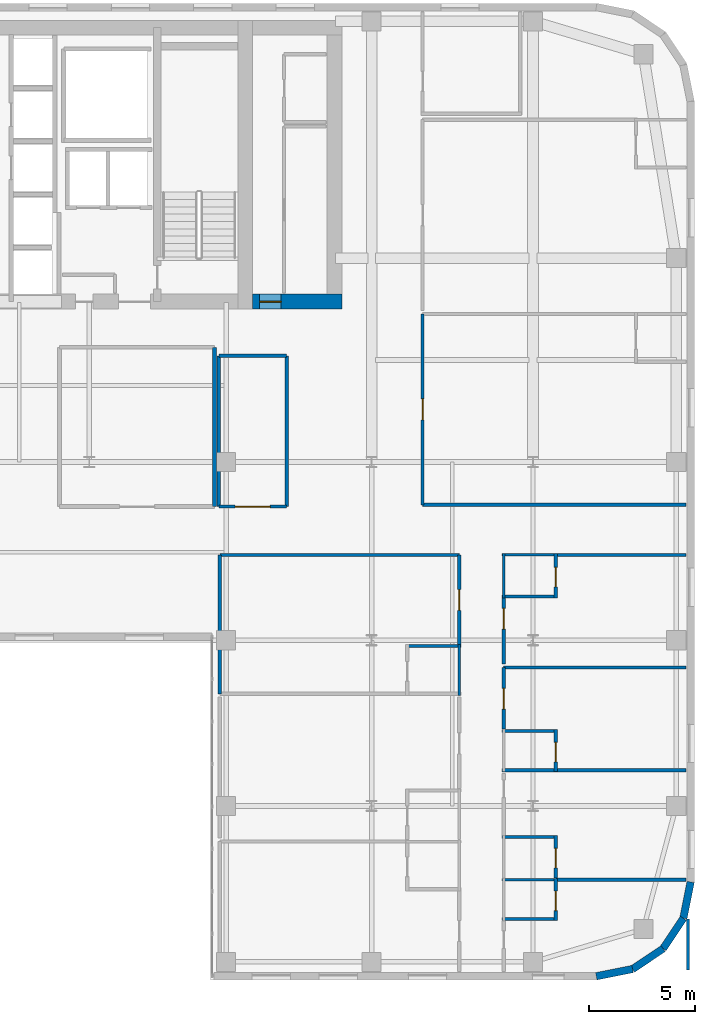
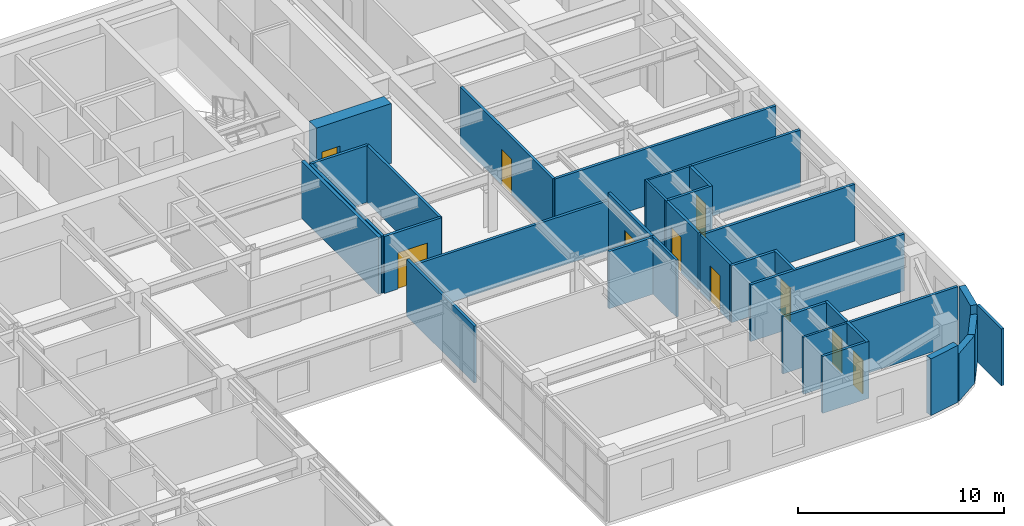
# One storey, part 13 of 17: 35 walls, 10 doors, 10 openings.
"""IFC4 building model written with IfcOpenShell, lengths in metres."""

from ifc_helpers import new_model, si_unit, direction, frame, frame_2d, origin, place, context, subcontext, project, spatial, rectangle, extrude, source, transform, mapped, material, layer, layer_set, type_object, type_shapes, element, fill, save


model = new_model("IFC4")

# Units and contexts
model_context = context("Model", 3, precision=1e-05, world=origin(), true_north=direction((0.0, 1.0)))
body_context = subcontext(model_context, "Body", "Model", "MODEL_VIEW")
ifc_project = project(units=[si_unit("LENGTHUNIT", "METRE"), si_unit("AREAUNIT", "SQUARE_METRE"), si_unit("VOLUMEUNIT", "CUBIC_METRE"), si_unit("PLANEANGLEUNIT", "RADIAN"), si_unit("MASSUNIT", "GRAM", prefix="KILO")], contexts=[model_context])

# Site, building, storey
site_placement = place(None, origin())
site = spatial("IfcSite", under=ifc_project, at=site_placement, CompositionType="ELEMENT")
building_placement = place(site_placement, origin())
building = spatial("IfcBuilding", under=site, at=building_placement, Name="Tolvann Quenvar Hotel", CompositionType="ELEMENT")
storey_placement = place(building_placement, frame((0.0, 0.0, 136.39990234375)))
storey = spatial("IfcBuildingStorey", under=building, at=storey_placement, Name="L35", CompositionType="ELEMENT", Elevation=136.39990234375)

# Wall, opening, door
ifc_material_1 = material(Name="Concrete S65 (65 MPa)", Category="concrete")
ifc_layer_1 = layer(ifc_material_1, 0.699951171875)
ifc_layer_set_1 = layer_set([ifc_layer_1], Name="Concrete S65 (65 MPa)")
wall_type_1 = type_object("IfcWallType", Name="WALL_CORE_700", PredefinedType="SHEAR", material=ifc_layer_set_1)
wall_1_placement = place(storey_placement, frame((36.199951171875, 31.949951171875, 0.0), z_axis=(0.0, 0.0, 1.0), x_axis=(1.0, 0.0, 0.0)))
wall_1 = element("IfcWall", 1, at=wall_1_placement, inside=storey, type_object=wall_type_1, Name="Core East Annex Shear Wall ANN-S (L35)", PredefinedType="SHEAR", context=body_context, shape_type="SweptSolid", body=[
    extrude(rectangle(XDim=4.199951171875, YDim=0.699951171875, at=frame_2d((2.10009765625, 0.0))), origin(), (0.0, 0.0, 1.0), 3.550048828125),
])
opening_1_placement = place(wall_1_placement, frame((1.340087890625, 0.0, 0.0), z_axis=(0.0, 0.0, 1.0), x_axis=(-1.0, 0.0, 0.0)))
opening_1 = element("IfcOpeningElement", 2, at=opening_1_placement, cuts=wall_1, Name="Opening HD-01", PredefinedType="OPENING", context=body_context, shape_type="SweptSolid", body=[
    extrude(rectangle(XDim=1.02001953125, YDim=2.030029296875, at=frame_2d((0.510009765625, 1.01513671875))), frame((0.0, 0.35986328125, 0.0), z_axis=(0.0, -1.0, 0.0), x_axis=(1.0, 0.0, 0.0)), (0.0, 0.0, 1.0), 0.719970703125),
])
ifc_material_2 = material(Name="Pressed galvanised steel fire-rated door set", Category="steel")
door_type_1 = type_object("IfcDoorType", Name="DOOR_BOH_1020", OperationType="NOTDEFINED", PredefinedType="DOOR", material=ifc_material_2)
shared_shape_1 = source(origin(), body_context, "Body", "SweptSolid", [
    extrude(rectangle(XDim=1.02001953125, YDim=2.030029296875, at=frame_2d((0.510009765625, 1.01513671875))), frame((0.0, 0.02490234375, 0.0), z_axis=(0.0, -1.0, 0.0), x_axis=(1.0, 0.0, 0.0)), (0.0, 0.0, 1.0), 0.050048828125),
])
type_shapes(door_type_1, [shared_shape_1])
door_1_placement = place(opening_1_placement, origin())
door_1 = element("IfcDoor", 3, at=door_1_placement, inside=storey, type_object=door_type_1, Name="Housekeeping Annex Fire Door (L35)", OperationType="SINGLE_SWING_LEFT", OverallHeight=2.030029296875, OverallWidth=1.02001953125, PredefinedType="DOOR", context=body_context, shape_type="MappedRepresentation", body=[
    mapped(shared_shape_1, transform((0.0, 0.0, 0.0), x_axis=(1.0, 0.0, 0.0), y_axis=(0.0, 1.0, 0.0), z_axis=(0.0, 0.0, 1.0), scale=1.0)),
])
fill(opening_1, door_1)

# Walls
ifc_material_3 = material(Name="Kiln-fired red and buff architectural clay brickwork and terracotta masonry", Category="masonry")
ifc_layer_2 = layer(ifc_material_3, 0.35009765625)
ifc_layer_set_2 = layer_set([ifc_layer_2], Name="Kiln-fired red and buff architectural clay brickwork and terracotta masonry")
wall_type_2 = type_object("IfcWallType", Name="WALL_EXT_BRICK_350", PredefinedType="SOLIDWALL", material=ifc_layer_set_2)
wall_2_placement = place(storey_placement, frame((52.3828125, 0.175048828125, 0.0), z_axis=(0.0, 0.0, 1.0), x_axis=(0.980800971659, 0.195011420161, 0.0)))
element("IfcWall", 4, at=wall_2_placement, inside=storey, type_object=wall_type_2, Name="Exterior Chicago Brick Wall L35-E09", PredefinedType="SOLIDWALL", context=body_context, shape_type="SweptSolid", body=[
    extrude(rectangle(XDim=1.74267578125, YDim=0.35009765625, at=frame_2d((0.871337890625, 0.0))), origin(), (0.0, 0.0, 1.0), 3.3701171875),
])
for number, where, z_axis, x_axis, name in (
    (5, (54.092041015625, 0.514892578125, 0.0), (0.0, 0.0, 1.0), (0.831483840845, 0.55554893791, 0.0), "Exterior Chicago Brick Wall L35-E10"),
    (6, (55.526611328125, 1.473388671875, 0.0), (0.0, 0.0, 1.0), (0.55554893791, 0.831483840845, 0.0), "Exterior Chicago Brick Wall L35-E11"),
):
    element("IfcWall", number, at=place(storey_placement, frame(where, z_axis=z_axis, x_axis=x_axis)), inside=storey, type_object=wall_type_2, Name=name, PredefinedType="SOLIDWALL", context=body_context, shape_type="SweptSolid", body=[
        extrude(rectangle(XDim=1.725341796875, YDim=0.35009765625, at=frame_2d((0.86279296875, 0.0))), origin(), (0.0, 0.0, 1.0), 2.83203125),
    ])
wall_3_placement = place(storey_placement, frame((56.485107421875, 2.907958984375, 0.0), z_axis=(0.0, 0.0, 1.0), x_axis=(0.195011420161, 0.980800971659, 0.0)))
element("IfcWall", 7, at=wall_3_placement, inside=storey, type_object=wall_type_2, Name="Exterior Chicago Brick Wall L35-E12", PredefinedType="SOLIDWALL", context=body_context, shape_type="SweptSolid", body=[
    extrude(rectangle(XDim=1.74267578125, YDim=0.35009765625, at=frame_2d((0.871337890625, 0.0))), origin(), (0.0, 0.0, 1.0), 3.3701171875),
])
ifc_material_4 = material(Name="Acoustic twin-stud fire-rated gypsum plasterboard partition")
ifc_layer_3 = layer(ifc_material_4, 0.179931640625)
ifc_layer_set_3 = layer_set([ifc_layer_3], Name="Acoustic twin-stud fire-rated gypsum plasterboard partition")
wall_type_3 = type_object("IfcWallType", Name="WALL_PART_ACOUSTIC_180", PredefinedType="PARTITIONING", material=ifc_layer_set_3)
wall_4_placement = place(storey_placement, frame((34.39990234375, 22.300048828125, 0.0), z_axis=(0.0, 0.0, 1.0), x_axis=(0.0, 1.0, 0.0)))
element("IfcWall", 8, at=wall_4_placement, inside=storey, type_object=wall_type_3, Name="Interior Partition PT-SPC-L35-MSP-C-E", PredefinedType="PARTITIONING", context=body_context, shape_type="SweptSolid", body=[
    extrude(rectangle(XDim=7.5, YDim=0.179931640625, at=frame_2d((3.75, 0.0))), origin(), (0.0, 0.0, 1.0), 3.3701171875),
])
ifc_material_5 = material(Name="Moisture-resistant acoustic plumbing wall assembly")
ifc_layer_4 = layer(ifc_material_5, 0.1201171875)
ifc_layer_set_4 = layer_set([ifc_layer_4], Name="Moisture-resistant acoustic plumbing wall assembly")
wall_type_4 = type_object("IfcWallType", Name="WALL_PART_BATH_120", PredefinedType="PLUMBINGWALL", material=ifc_layer_set_4)
wall_5_placement = place(storey_placement, frame((45.929931640625, 13.409912109375, 0.0), z_axis=(0.0, 0.0, 1.0), x_axis=(0.0, 1.0, 0.0)))
element("IfcWall", 9, at=wall_5_placement, inside=storey, type_object=wall_type_4, Name="Non-Rated Plumbing Partition PT-SPC-L35-ENS-EI03-E", PredefinedType="PLUMBINGWALL", context=body_context, shape_type="SweptSolid", body=[
    extrude(rectangle(XDim=2.39013671875, YDim=0.1201171875, at=frame_2d((1.195068359375, 0.0))), origin(), (0.0, 0.0, 1.0), 3.3701171875),
])
for number, where, z_axis, x_axis, name in (
    (10, (47.949951171875, 4.719970703125, 0.0), (0.0, 0.0, 1.0), (1.0, 0.0, 0.0), "Non-Rated Plumbing Partition PT-SPC-L35-ENS-EO01-N"),
    (11, (47.949951171875, 20.02001953125, 0.0), (0.0, 0.0, 1.0), (1.0, 0.0, 0.0), "Non-Rated Plumbing Partition PT-SPC-L35-ENS-EO04-N"),
):
    element("IfcWall", number, at=place(storey_placement, frame(where, z_axis=z_axis, x_axis=x_axis)), inside=storey, type_object=wall_type_4, Name=name, PredefinedType="PLUMBINGWALL", context=body_context, shape_type="SweptSolid", body=[
        extrude(rectangle(XDim=2.590087890625, YDim=0.1201171875, at=frame_2d((1.294921875, 0.0))), origin(), (0.0, 0.0, 1.0), 3.3701171875),
    ])
wall_6_placement = place(storey_placement, frame((48.02001953125, 17.9970703125, 0.0), z_axis=(0.0, 0.0, 1.0), x_axis=(0.0, 1.0, 0.0)))
element("IfcWall", 12, at=wall_6_placement, inside=storey, type_object=wall_type_4, Name="Non-Rated Plumbing Partition PT-SPC-L35-ENS-EO04-W", PredefinedType="PLUMBINGWALL", context=body_context, shape_type="SweptSolid", body=[
    extrude(rectangle(XDim=2.093017578125, YDim=0.1201171875, at=frame_2d((1.04638671875, 0.0))), origin(), (0.0, 0.0, 1.0), 3.3701171875),
])
ifc_layer_5 = layer(ifc_material_4, 0.14990234375)
ifc_layer_set_5 = layer_set([ifc_layer_5], Name="Acoustic twin-stud fire-rated gypsum plasterboard partition")
wall_type_5 = type_object("IfcWallType", Name="WALL_PART_SUITE_150", PredefinedType="PARTITIONING", material=ifc_layer_set_5)
wall_7_placement = place(storey_placement, frame((43.409912109375, 15.72998046875, 0.0), z_axis=(0.0, 0.0, 1.0), x_axis=(1.0, 0.0, 0.0)))
element("IfcWall", 13, at=wall_7_placement, inside=storey, type_object=wall_type_5, Name="Interior Partition PT-SPC-L35-ENS-EI03-N", PredefinedType="PARTITIONING", context=body_context, shape_type="SweptSolid", body=[
    extrude(rectangle(XDim=2.590087890625, YDim=0.14990234375, at=frame_2d((1.294921875, 0.0))), origin(), (0.0, 0.0, 1.0), 3.3701171875),
])

# Wall, opening, door
wall_8_placement = place(storey_placement, frame((50.469970703125, 2.800048828125, 0.0), z_axis=(0.0, 0.0, 1.0), x_axis=(0.0, 1.0, 0.0)))
wall_8 = element("IfcWall", 14, at=wall_8_placement, inside=storey, type_object=wall_type_5, Name="Interior Partition PT-SPC-L35-ENS-EO01-ENT", PredefinedType="PARTITIONING", context=body_context, shape_type="SweptSolid", body=[
    extrude(rectangle(XDim=1.989990234375, YDim=0.14990234375, at=frame_2d((0.9951171875, 0.0))), origin(), (0.0, 0.0, 1.0), 3.3701171875),
])
opening_2_placement = place(wall_8_placement, frame((0.465087890625, 0.0, 0.0)))
opening_2 = element("IfcOpeningElement", 15, at=opening_2_placement, cuts=wall_8, Name="Opening WD-01", PredefinedType="OPENING", context=body_context, shape_type="SweptSolid", body=[
    extrude(rectangle(XDim=0.919921875, YDim=2.010009765625, at=frame_2d((0.4599609375, 1.0048828125))), frame((0.0, 0.0849609375, 0.0), z_axis=(0.0, -1.0, 0.0), x_axis=(1.0, 0.0, 0.0)), (0.0, 0.0, 1.0), 0.169921875),
])
ifc_material_6 = material(Name="Solid-core American oak acoustic fire door leaf in steel frame", Category="steel")
door_type_2 = type_object("IfcDoorType", Name="DOOR_WC_920", OperationType="NOTDEFINED", PredefinedType="DOOR", material=ifc_material_6)
shared_shape_2 = source(origin(), body_context, "Body", "SweptSolid", [
    extrude(rectangle(XDim=0.919921875, YDim=2.010009765625, at=frame_2d((0.4599609375, 1.0048828125))), frame((0.0, 0.02490234375, 0.0), z_axis=(0.0, -1.0, 0.0), x_axis=(1.0, 0.0, 0.0)), (0.0, 0.0, 1.0), 0.050048828125),
])
type_shapes(door_type_2, [shared_shape_2])
door_2_placement = place(opening_2_placement, origin())
door_2 = element("IfcDoor", 16, at=door_2_placement, inside=storey, type_object=door_type_2, Name="Interior Door DOOR-SPC-L35-ENS-EO01", OperationType="SINGLE_SWING_LEFT", OverallHeight=2.010009765625, OverallWidth=0.919921875, PredefinedType="DOOR", context=body_context, shape_type="MappedRepresentation", body=[
    mapped(shared_shape_2, transform((0.0, 0.0, 0.0), x_axis=(1.0, 0.0, 0.0), y_axis=(0.0, 1.0, 0.0), z_axis=(0.0, 0.0, 1.0), scale=1.0)),
])
fill(opening_2, door_2)

# Wall
wall_9_placement = place(storey_placement, frame((47.949951171875, 2.8701171875, 0.0), z_axis=(0.0, 0.0, 1.0), x_axis=(1.0, 0.0, 0.0)))
element("IfcWall", 17, at=wall_9_placement, inside=storey, type_object=wall_type_5, Name="Interior Partition PT-SPC-L35-ENS-EO01-S", PredefinedType="PARTITIONING", context=body_context, shape_type="SweptSolid", body=[
    extrude(rectangle(XDim=2.590087890625, YDim=0.14990234375, at=frame_2d((1.294921875, 0.0))), origin(), (0.0, 0.0, 1.0), 3.3701171875),
])

# Wall, opening, door
wall_10_placement = place(storey_placement, frame((50.469970703125, 4.81005859375, 0.0), z_axis=(0.0, 0.0, 1.0), x_axis=(0.0, 1.0, 0.0)))
wall_10 = element("IfcWall", 18, at=wall_10_placement, inside=storey, type_object=wall_type_5, Name="Interior Partition PT-SPC-L35-ENS-EO02-ENT", PredefinedType="PARTITIONING", context=body_context, shape_type="SweptSolid", body=[
    extrude(rectangle(XDim=1.989990234375, YDim=0.14990234375, at=frame_2d((0.9951171875, 0.0))), origin(), (0.0, 0.0, 1.0), 3.3701171875),
])
opening_3_placement = place(wall_10_placement, frame((0.465087890625, 0.0, 0.0)))
opening_3 = element("IfcOpeningElement", 19, at=opening_3_placement, cuts=wall_10, Name="Opening WD-01", PredefinedType="OPENING", context=body_context, shape_type="SweptSolid", body=[
    extrude(rectangle(XDim=0.919921875, YDim=2.010009765625, at=frame_2d((0.4599609375, 1.0048828125))), frame((0.0, 0.0849609375, 0.0), z_axis=(0.0, -1.0, 0.0), x_axis=(1.0, 0.0, 0.0)), (0.0, 0.0, 1.0), 0.169921875),
])
door_3_placement = place(opening_3_placement, origin())
door_3 = element("IfcDoor", 20, at=door_3_placement, inside=storey, type_object=door_type_2, Name="Interior Door DOOR-SPC-L35-ENS-EO02", OperationType="SINGLE_SWING_RIGHT", OverallHeight=2.010009765625, OverallWidth=0.919921875, PredefinedType="DOOR", context=body_context, shape_type="MappedRepresentation", body=[
    mapped(shared_shape_2, transform((0.0, 0.0, 0.0), x_axis=(1.0, 0.0, 0.0), y_axis=(0.0, 1.0, 0.0), z_axis=(0.0, 0.0, 1.0), scale=1.0)),
])
fill(opening_3, door_3)

# Wall
wall_11_placement = place(storey_placement, frame((47.949951171875, 6.72998046875, 0.0), z_axis=(0.0, 0.0, 1.0), x_axis=(1.0, 0.0, 0.0)))
element("IfcWall", 21, at=wall_11_placement, inside=storey, type_object=wall_type_5, Name="Interior Partition PT-SPC-L35-ENS-EO02-N", PredefinedType="PARTITIONING", context=body_context, shape_type="SweptSolid", body=[
    extrude(rectangle(XDim=2.590087890625, YDim=0.14990234375, at=frame_2d((1.294921875, 0.0))), origin(), (0.0, 0.0, 1.0), 3.3701171875),
])

# Wall, opening, door
wall_12_placement = place(storey_placement, frame((50.469970703125, 9.81005859375, 0.0), z_axis=(0.0, 0.0, 1.0), x_axis=(0.0, 1.0, 0.0)))
wall_12 = element("IfcWall", 22, at=wall_12_placement, inside=storey, type_object=wall_type_5, Name="Interior Partition PT-SPC-L35-ENS-EO03-ENT", PredefinedType="PARTITIONING", context=body_context, shape_type="SweptSolid", body=[
    extrude(rectangle(XDim=1.989990234375, YDim=0.14990234375, at=frame_2d((0.9951171875, 0.0))), origin(), (0.0, 0.0, 1.0), 3.3701171875),
])
opening_4_placement = place(wall_12_placement, frame((0.465087890625, 0.0, 0.0)))
opening_4 = element("IfcOpeningElement", 23, at=opening_4_placement, cuts=wall_12, Name="Opening WD-01", PredefinedType="OPENING", context=body_context, shape_type="SweptSolid", body=[
    extrude(rectangle(XDim=0.919921875, YDim=2.010009765625, at=frame_2d((0.4599609375, 1.0048828125))), frame((0.0, 0.0849609375, 0.0), z_axis=(0.0, -1.0, 0.0), x_axis=(1.0, 0.0, 0.0)), (0.0, 0.0, 1.0), 0.169921875),
])
door_4_placement = place(opening_4_placement, origin())
door_4 = element("IfcDoor", 24, at=door_4_placement, inside=storey, type_object=door_type_2, Name="Interior Door DOOR-SPC-L35-ENS-EO03", OperationType="SINGLE_SWING_LEFT", OverallHeight=2.010009765625, OverallWidth=0.919921875, PredefinedType="DOOR", context=body_context, shape_type="MappedRepresentation", body=[
    mapped(shared_shape_2, transform((0.0, 0.0, 0.0), x_axis=(1.0, 0.0, 0.0), y_axis=(0.0, 1.0, 0.0), z_axis=(0.0, 0.0, 1.0), scale=1.0)),
])
fill(opening_4, door_4)

# Walls
wall_13_placement = place(storey_placement, frame((47.949951171875, 9.8798828125, 0.0), z_axis=(0.0, 0.0, 1.0), x_axis=(1.0, 0.0, 0.0)))
element("IfcWall", 25, at=wall_13_placement, inside=storey, type_object=wall_type_5, Name="Interior Partition PT-SPC-L35-ENS-EO03-S", PredefinedType="PARTITIONING", context=body_context, shape_type="SweptSolid", body=[
    extrude(rectangle(XDim=8.64501953125, YDim=0.14990234375, at=frame_2d((4.322509765625, 0.0))), origin(), (0.0, 0.0, 1.0), 3.3701171875),
])
wall_14_placement = place(storey_placement, frame((47.949951171875, 11.72998046875, 0.0), z_axis=(0.0, 0.0, 1.0), x_axis=(1.0, 0.0, 0.0)))
element("IfcWall", 26, at=wall_14_placement, inside=storey, type_object=wall_type_5, Name="Interior Partition PT-SPC-L35-ENS-EO03-N", PredefinedType="PARTITIONING", context=body_context, shape_type="SweptSolid", body=[
    extrude(rectangle(XDim=2.590087890625, YDim=0.14990234375, at=frame_2d((1.294921875, 0.0))), origin(), (0.0, 0.0, 1.0), 3.3701171875),
])

# Wall, opening, door
wall_15_placement = place(storey_placement, frame((50.469970703125, 17.9970703125, 0.0), z_axis=(0.0, 0.0, 1.0), x_axis=(0.0, 1.0, 0.0)))
wall_15 = element("IfcWall", 27, at=wall_15_placement, inside=storey, type_object=wall_type_5, Name="Interior Partition PT-SPC-L35-ENS-EO04-ENT", PredefinedType="PARTITIONING", context=body_context, shape_type="SweptSolid", body=[
    extrude(rectangle(XDim=2.093017578125, YDim=0.14990234375, at=frame_2d((1.04638671875, 0.0))), origin(), (0.0, 0.0, 1.0), 3.3701171875),
])
opening_5_placement = place(wall_15_placement, frame((0.5166015625, 0.0, 0.0)))
opening_5 = element("IfcOpeningElement", 28, at=opening_5_placement, cuts=wall_15, Name="Opening WD-01", PredefinedType="OPENING", context=body_context, shape_type="SweptSolid", body=[
    extrude(rectangle(XDim=0.919921875, YDim=2.010009765625, at=frame_2d((0.4599609375, 1.0048828125))), frame((0.0, 0.0849609375, 0.0), z_axis=(0.0, -1.0, 0.0), x_axis=(1.0, 0.0, 0.0)), (0.0, 0.0, 1.0), 0.169921875),
])
door_5_placement = place(opening_5_placement, origin())
door_5 = element("IfcDoor", 29, at=door_5_placement, inside=storey, type_object=door_type_2, Name="Interior Door DOOR-SPC-L35-ENS-EO04", OperationType="SINGLE_SWING_RIGHT", OverallHeight=2.010009765625, OverallWidth=0.919921875, PredefinedType="DOOR", context=body_context, shape_type="MappedRepresentation", body=[
    mapped(shared_shape_2, transform((0.0, 0.0, 0.0), x_axis=(1.0, 0.0, 0.0), y_axis=(0.0, 1.0, 0.0), z_axis=(0.0, 0.0, 1.0), scale=1.0)),
])
fill(opening_5, door_5)

# Wall
wall_16_placement = place(storey_placement, frame((47.949951171875, 18.06689453125, 0.0), z_axis=(0.0, 0.0, 1.0), x_axis=(1.0, 0.0, 0.0)))
element("IfcWall", 30, at=wall_16_placement, inside=storey, type_object=wall_type_5, Name="Interior Partition PT-SPC-L35-ENS-EO04-S", PredefinedType="PARTITIONING", context=body_context, shape_type="SweptSolid", body=[
    extrude(rectangle(XDim=2.590087890625, YDim=0.14990234375, at=frame_2d((1.294921875, 0.0))), origin(), (0.0, 0.0, 1.0), 3.3701171875),
])

# Wall, opening, door
wall_17_placement = place(storey_placement, frame((45.929931640625, 15.81005859375, 0.0), z_axis=(0.0, 0.0, 1.0), x_axis=(0.0, 1.0, 0.0)))
wall_17 = element("IfcWall", 31, at=wall_17_placement, inside=storey, type_object=wall_type_5, Name="Interior Partition PT-SPC-L35-RM-EI03-ENT", PredefinedType="PARTITIONING", context=body_context, shape_type="SweptSolid", body=[
    extrude(rectangle(XDim=4.2099609375, YDim=0.14990234375, at=frame_2d((2.10498046875, 0.0))), origin(), (0.0, 0.0, 1.0), 3.3701171875),
])
opening_6_placement = place(wall_17_placement, frame((1.594970703125, 0.0, 0.0)))
opening_6 = element("IfcOpeningElement", 32, at=opening_6_placement, cuts=wall_17, Name="Opening SD-01", PredefinedType="OPENING", context=body_context, shape_type="SweptSolid", body=[
    extrude(rectangle(XDim=0.97998046875, YDim=2.1201171875, at=frame_2d((0.489990234375, 1.06005859375))), frame((0.0, 0.0849609375, 0.0), z_axis=(0.0, -1.0, 0.0), x_axis=(1.0, 0.0, 0.0)), (0.0, 0.0, 1.0), 0.169921875),
])
door_type_3 = type_object("IfcDoorType", Name="DOOR_SUITE_980", OperationType="NOTDEFINED", PredefinedType="DOOR", material=ifc_material_6)
shared_shape_3 = source(origin(), body_context, "Body", "SweptSolid", [
    extrude(rectangle(XDim=0.97998046875, YDim=2.1201171875, at=frame_2d((0.489990234375, 1.06005859375))), frame((0.0, 0.02490234375, 0.0), z_axis=(0.0, -1.0, 0.0), x_axis=(1.0, 0.0, 0.0)), (0.0, 0.0, 1.0), 0.050048828125),
])
type_shapes(door_type_3, [shared_shape_3])
door_6_placement = place(opening_6_placement, origin())
door_6 = element("IfcDoor", 33, at=door_6_placement, inside=storey, type_object=door_type_3, Name="Interior Door DOOR-SPC-L35-RM-EI03", OperationType="SINGLE_SWING_LEFT", OverallHeight=2.1201171875, OverallWidth=0.97998046875, PredefinedType="DOOR", context=body_context, shape_type="MappedRepresentation", body=[
    mapped(shared_shape_3, transform((0.0, 0.0, 0.0), x_axis=(1.0, 0.0, 0.0), y_axis=(0.0, 1.0, 0.0), z_axis=(0.0, 0.0, 1.0), scale=1.0)),
])
fill(opening_6, door_6)

# Walls
wall_18_placement = place(storey_placement, frame((34.64990234375, 20.02001953125, 0.0), z_axis=(0.0, 0.0, 1.0), x_axis=(1.0, 0.0, 0.0)))
element("IfcWall", 34, at=wall_18_placement, inside=storey, type_object=wall_type_5, Name="Interior Partition PT-SPC-L35-RM-EI03-E5", PredefinedType="PARTITIONING", context=body_context, shape_type="SweptSolid", body=[
    extrude(rectangle(XDim=11.280029296875, YDim=0.14990234375, at=frame_2d((5.64013671875, 0.0))), origin(), (0.0, 0.0, 1.0), 2.9541015625),
])
wall_19_placement = place(storey_placement, frame((34.64990234375, 13.47998046875, 0.0), z_axis=(0.0, 0.0, 1.0), x_axis=(0.0, 1.0, 0.0)))
element("IfcWall", 35, at=wall_19_placement, inside=storey, type_object=wall_type_5, Name="Interior Partition PT-SPC-L35-RM-EI03-E6", PredefinedType="PARTITIONING", context=body_context, shape_type="SweptSolid", body=[
    extrude(rectangle(XDim=6.5400390625, YDim=0.14990234375, at=frame_2d((3.27001953125, 0.0))), origin(), (0.0, 0.0, 1.0), 3.3701171875),
])
wall_20_placement = place(storey_placement, frame((56.699951171875, 0.47998046875, 0.0), z_axis=(0.0, 0.0, 1.0), x_axis=(0.0, 1.0, 0.0)))
element("IfcWall", 36, at=wall_20_placement, inside=storey, type_object=wall_type_5, Name="Interior Partition PT-SPC-L35-RM-EO01-E2", PredefinedType="PARTITIONING", context=body_context, shape_type="SweptSolid", body=[
    extrude(rectangle(XDim=2.385009765625, YDim=0.14990234375, at=frame_2d((1.1923828125, 0.0))), origin(), (0.0, 0.0, 1.0), 3.3701171875),
])
wall_21_placement = place(storey_placement, frame((50.489990234375, 4.719970703125, 0.0), z_axis=(0.0, 0.0, 1.0), x_axis=(1.0, 0.0, 0.0)))
element("IfcWall", 37, at=wall_21_placement, inside=storey, type_object=wall_type_5, Name="Interior Partition PT-SPC-L35-RM-EO01-E3", PredefinedType="PARTITIONING", context=body_context, shape_type="SweptSolid", body=[
    extrude(rectangle(XDim=6.10498046875, YDim=0.14990234375, at=frame_2d((3.052490234375, 0.0))), origin(), (0.0, 0.0, 1.0), 3.3701171875),
])

# Wall, opening, door
wall_22_placement = place(storey_placement, frame((48.02001953125, 11.81005859375, 0.0), z_axis=(0.0, 0.0, 1.0), x_axis=(0.0, 1.0, 0.0)))
wall_22 = element("IfcWall", 38, at=wall_22_placement, inside=storey, type_object=wall_type_5, Name="Interior Partition PT-SPC-L35-RM-EO03-ENT", PredefinedType="PARTITIONING", context=body_context, shape_type="SweptSolid", body=[
    extrude(rectangle(XDim=2.909912109375, YDim=0.14990234375, at=frame_2d((1.455078125, 0.0))), origin(), (0.0, 0.0, 1.0), 3.3701171875),
])
opening_7_placement = place(wall_22_placement, frame((0.945068359375, 0.0, 0.0)))
opening_7 = element("IfcOpeningElement", 39, at=opening_7_placement, cuts=wall_22, Name="Opening SD-01", PredefinedType="OPENING", context=body_context, shape_type="SweptSolid", body=[
    extrude(rectangle(XDim=0.97998046875, YDim=2.1201171875, at=frame_2d((0.489990234375, 1.06005859375))), frame((0.0, 0.0849609375, 0.0), z_axis=(0.0, -1.0, 0.0), x_axis=(1.0, 0.0, 0.0)), (0.0, 0.0, 1.0), 0.169921875),
])
door_7_placement = place(opening_7_placement, origin())
door_7 = element("IfcDoor", 40, at=door_7_placement, inside=storey, type_object=door_type_3, Name="Interior Door DOOR-SPC-L35-RM-EO03", OperationType="SINGLE_SWING_RIGHT", OverallHeight=2.1201171875, OverallWidth=0.97998046875, PredefinedType="DOOR", context=body_context, shape_type="MappedRepresentation", body=[
    mapped(shared_shape_3, transform((0.0, 0.0, 0.0), x_axis=(1.0, 0.0, 0.0), y_axis=(0.0, 1.0, 0.0), z_axis=(0.0, 0.0, 1.0), scale=1.0)),
])
fill(opening_7, door_7)

# Wall
wall_23_placement = place(storey_placement, frame((48.02001953125, 14.719970703125, 0.0), z_axis=(0.0, 0.0, 1.0), x_axis=(1.0, 0.0, 0.0)))
element("IfcWall", 41, at=wall_23_placement, inside=storey, type_object=wall_type_5, Name="Interior Partition PT-SPC-L35-RM-EO03-E5", PredefinedType="PARTITIONING", context=body_context, shape_type="SweptSolid", body=[
    extrude(rectangle(XDim=8.574951171875, YDim=0.14990234375, at=frame_2d((4.28759765625, 0.0))), origin(), (0.0, 0.0, 1.0), 3.3701171875),
])

# Wall, opening, door
wall_24_placement = place(storey_placement, frame((48.02001953125, 14.8798828125, 0.0), z_axis=(0.0, 0.0, 1.0), x_axis=(0.0, 1.0, 0.0)))
wall_24 = element("IfcWall", 42, at=wall_24_placement, inside=storey, type_object=wall_type_5, Name="Interior Partition PT-SPC-L35-RM-EO04-ENT", PredefinedType="PARTITIONING", context=body_context, shape_type="SweptSolid", body=[
    extrude(rectangle(XDim=3.107177734375, YDim=0.14990234375, at=frame_2d((1.5537109375, 0.0))), origin(), (0.0, 0.0, 1.0), 3.3701171875),
])
opening_8_placement = place(wall_24_placement, frame((1.6435546875, 0.0, 0.0)))
opening_8 = element("IfcOpeningElement", 43, at=opening_8_placement, cuts=wall_24, Name="Opening SD-01", PredefinedType="OPENING", context=body_context, shape_type="SweptSolid", body=[
    extrude(rectangle(XDim=0.97998046875, YDim=2.1201171875, at=frame_2d((0.489990234375, 1.06005859375))), frame((0.0, 0.0849609375, 0.0), z_axis=(0.0, -1.0, 0.0), x_axis=(1.0, 0.0, 0.0)), (0.0, 0.0, 1.0), 0.169921875),
])
door_8_placement = place(opening_8_placement, origin())
door_8 = element("IfcDoor", 44, at=door_8_placement, inside=storey, type_object=door_type_3, Name="Interior Door DOOR-SPC-L35-RM-EO04", OperationType="SINGLE_SWING_LEFT", OverallHeight=2.1201171875, OverallWidth=0.97998046875, PredefinedType="DOOR", context=body_context, shape_type="MappedRepresentation", body=[
    mapped(shared_shape_3, transform((0.0, 0.0, 0.0), x_axis=(1.0, 0.0, 0.0), y_axis=(0.0, 1.0, 0.0), z_axis=(0.0, 0.0, 1.0), scale=1.0)),
])
fill(opening_8, door_8)

# Wall
wall_25_placement = place(storey_placement, frame((50.489990234375, 20.02001953125, 0.0), z_axis=(0.0, 0.0, 1.0), x_axis=(1.0, 0.0, 0.0)))
element("IfcWall", 45, at=wall_25_placement, inside=storey, type_object=wall_type_5, Name="Interior Partition PT-SPC-L35-RM-EO04-E3", PredefinedType="PARTITIONING", context=body_context, shape_type="SweptSolid", body=[
    extrude(rectangle(XDim=6.10498046875, YDim=0.14990234375, at=frame_2d((3.052490234375, 0.0))), origin(), (0.0, 0.0, 1.0), 3.3701171875),
])

# Wall, opening, door
wall_26_placement = place(storey_placement, frame((44.199951171875, 22.3798828125, 0.0), z_axis=(0.0, 0.0, 1.0), x_axis=(0.0, 1.0, 0.0)))
wall_26 = element("IfcWall", 46, at=wall_26_placement, inside=storey, type_object=wall_type_5, Name="Interior Partition PT-SPC-L35-RM-NE01-ENT", PredefinedType="PARTITIONING", context=body_context, shape_type="SweptSolid", body=[
    extrude(rectangle(XDim=8.990234375, YDim=0.14990234375, at=frame_2d((4.4951171875, 0.0))), origin(), (0.0, 0.0, 1.0), 3.3701171875),
])
opening_9_placement = place(wall_26_placement, frame((4.0048828125, 0.0, 0.0)))
opening_9 = element("IfcOpeningElement", 47, at=opening_9_placement, cuts=wall_26, Name="Opening SD-01", PredefinedType="OPENING", context=body_context, shape_type="SweptSolid", body=[
    extrude(rectangle(XDim=0.97998046875, YDim=2.1201171875, at=frame_2d((0.489990234375, 1.06005859375))), frame((0.0, 0.0849609375, 0.0), z_axis=(0.0, -1.0, 0.0), x_axis=(1.0, 0.0, 0.0)), (0.0, 0.0, 1.0), 0.169921875),
])
door_9_placement = place(opening_9_placement, origin())
door_9 = element("IfcDoor", 48, at=door_9_placement, inside=storey, type_object=door_type_3, Name="Interior Door DOOR-SPC-L35-RM-NE01", OperationType="SINGLE_SWING_LEFT", OverallHeight=2.1201171875, OverallWidth=0.97998046875, PredefinedType="DOOR", context=body_context, shape_type="MappedRepresentation", body=[
    mapped(shared_shape_3, transform((0.0, 0.0, 0.0), x_axis=(1.0, 0.0, 0.0), y_axis=(0.0, 1.0, 0.0), z_axis=(0.0, 0.0, 1.0), scale=1.0)),
])
fill(opening_9, door_9)

# Wall
wall_27_placement = place(storey_placement, frame((44.199951171875, 22.3798828125, 0.0), z_axis=(0.0, 0.0, 1.0), x_axis=(1.0, 0.0, 0.0)))
element("IfcWall", 49, at=wall_27_placement, inside=storey, type_object=wall_type_5, Name="Interior Partition PT-SPC-L35-RM-NE01-E1", PredefinedType="PARTITIONING", context=body_context, shape_type="SweptSolid", body=[
    extrude(rectangle(XDim=12.39501953125, YDim=0.14990234375, at=frame_2d((6.197509765625, 0.0))), origin(), (0.0, 0.0, 1.0), 3.3701171875),
])

# Wall, opening, door
wall_28_placement = place(storey_placement, frame((34.60009765625, 22.300048828125, 0.0), z_axis=(0.0, 0.0, 1.0), x_axis=(1.0, 0.0, 0.0)))
wall_28 = element("IfcWall", 50, at=wall_28_placement, inside=storey, type_object=wall_type_5, Name="Interior Partition PT-SPC-L35-MSP-E-S", PredefinedType="PARTITIONING", context=body_context, shape_type="SweptSolid", body=[
    extrude(rectangle(XDim=3.199951171875, YDim=0.14990234375, at=frame_2d((1.60009765625, 0.0))), origin(), (0.0, 0.0, 1.0), 3.3701171875),
])
opening_10_placement = place(wall_28_placement, frame((0.77490234375, 0.0, 0.0)))
opening_10 = element("IfcOpeningElement", 51, at=opening_10_placement, cuts=wall_28, Name="Opening AD-01", PredefinedType="OPENING", context=body_context, shape_type="SweptSolid", body=[
    extrude(rectangle(XDim=1.64990234375, YDim=2.14990234375, at=frame_2d((0.824951171875, 1.074951171875))), frame((0.0, 0.0849609375, 0.0), z_axis=(0.0, -1.0, 0.0), x_axis=(1.0, 0.0, 0.0)), (0.0, 0.0, 1.0), 0.169921875),
])
door_type_4 = type_object("IfcDoorType", Name="DOOR_SALON_1650", OperationType="NOTDEFINED", PredefinedType="DOOR", material=ifc_material_6)
shared_shape_4 = source(origin(), body_context, "Body", "SweptSolid", [
    extrude(rectangle(XDim=1.64990234375, YDim=2.14990234375, at=frame_2d((0.824951171875, 1.074951171875))), frame((0.0, 0.02490234375, 0.0), z_axis=(0.0, -1.0, 0.0), x_axis=(1.0, 0.0, 0.0)), (0.0, 0.0, 1.0), 0.050048828125),
])
type_shapes(door_type_4, [shared_shape_4])
door_10_placement = place(opening_10_placement, origin())
door_10 = element("IfcDoor", 52, at=door_10_placement, inside=storey, type_object=door_type_4, Name="Interior Door DOOR-SPC-L35-MSP-E", OperationType="DOUBLE_DOOR_SINGLE_SWING", OverallHeight=2.14990234375, OverallWidth=1.64990234375, PredefinedType="DOOR", context=body_context, shape_type="MappedRepresentation", body=[
    mapped(shared_shape_4, transform((0.0, 0.0, 0.0), x_axis=(1.0, 0.0, 0.0), y_axis=(0.0, 1.0, 0.0), z_axis=(0.0, 0.0, 1.0), scale=1.0)),
])
fill(opening_10, door_10)

# Walls
wall_29_placement = place(storey_placement, frame((34.60009765625, 29.39990234375, 0.0), z_axis=(0.0, 0.0, 1.0), x_axis=(1.0, 0.0, 0.0)))
element("IfcWall", 53, at=wall_29_placement, inside=storey, type_object=wall_type_5, Name="Interior Partition PT-SPC-L35-MSP-E-N", PredefinedType="PARTITIONING", context=body_context, shape_type="SweptSolid", body=[
    extrude(rectangle(XDim=3.199951171875, YDim=0.14990234375, at=frame_2d((1.60009765625, 0.0))), origin(), (0.0, 0.0, 1.0), 3.3701171875),
])
for number, where, z_axis, x_axis, name in (
    (54, (34.60009765625, 22.300048828125, 0.0), (0.0, 0.0, 1.0), (0.0, 1.0, 0.0), "Interior Partition PT-SPC-L35-MSP-E-W"),
    (55, (37.800048828125, 22.300048828125, 0.0), (0.0, 0.0, 1.0), (0.0, 1.0, 0.0), "Interior Partition PT-SPC-L35-MSP-E-E"),
):
    element("IfcWall", number, at=place(storey_placement, frame(where, z_axis=z_axis, x_axis=x_axis)), inside=storey, type_object=wall_type_5, Name=name, PredefinedType="PARTITIONING", context=body_context, shape_type="SweptSolid", body=[
        extrude(rectangle(XDim=7.099853515625, YDim=0.14990234375, at=frame_2d((3.5498046875, 0.0))), origin(), (0.0, 0.0, 1.0), 3.3701171875),
    ])

save(model, "model.ifc")
